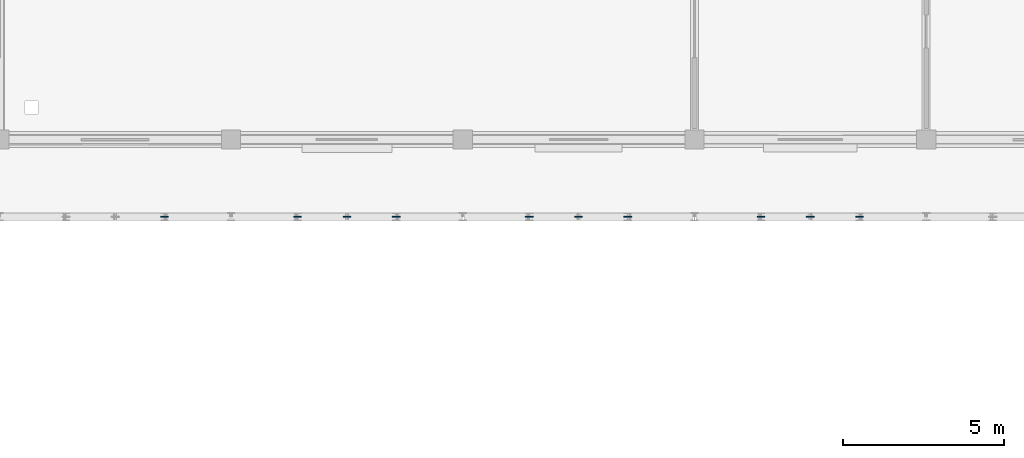
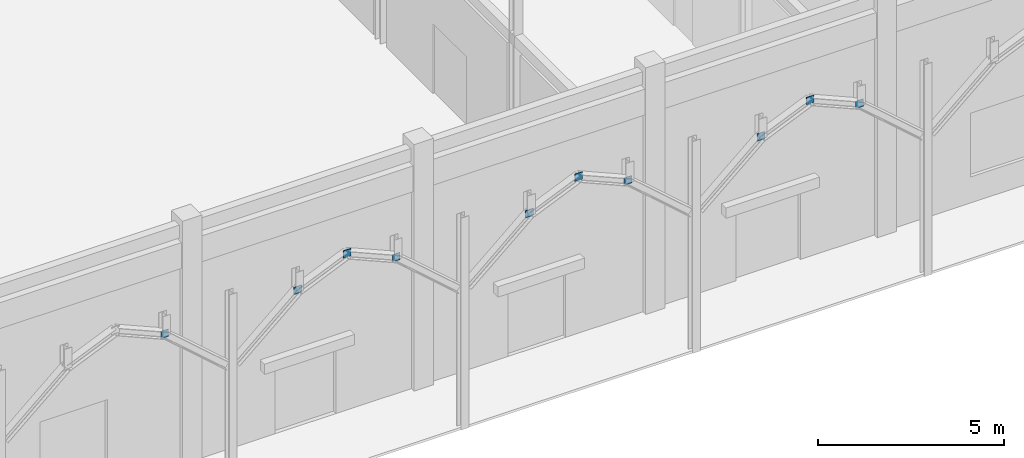
# One storey, part 71 of 138: 10 plates.
"""IFC4 building model written with IfcOpenShell, lengths in metres."""

from ifc_helpers import new_model, si_unit, direction, frame, origin, origin_2d, place, context, subcontext, project, spatial, rectangle, extrude, material, layer, layer_set, type_object, element, save


model = new_model("IFC4")

# Units and contexts
model_context = context("Model", 3, precision=1e-05, world=origin(), true_north=direction((0.0, 1.0)))
body_context = subcontext(model_context, "Body", "Model", "MODEL_VIEW")
ifc_project = project(units=[si_unit("LENGTHUNIT", "METRE"), si_unit("AREAUNIT", "SQUARE_METRE"), si_unit("VOLUMEUNIT", "CUBIC_METRE"), si_unit("PLANEANGLEUNIT", "RADIAN"), si_unit("MASSUNIT", "GRAM", prefix="KILO"), si_unit("THERMODYNAMICTEMPERATUREUNIT", "KELVIN"), si_unit("POWERUNIT", "WATT")], contexts=[model_context])

# Site, building, storey
site_placement = place(None, origin())
site = spatial("IfcSite", under=ifc_project, at=site_placement, CompositionType="ELEMENT")
building_placement = place(site_placement, origin())
building = spatial("IfcBuilding", under=site, at=building_placement, Name="Tavuni Mirador Residences", CompositionType="ELEMENT")
storey_placement = place(building_placement, origin())
storey = spatial("IfcBuildingStorey", under=building, at=storey_placement, Name="L00", CompositionType="ELEMENT", Elevation=0.0)

# Plates
ifc_material = material(Name="Structural steel S355", Category="steel")
ifc_layer = layer(ifc_material, 0.01806640625, Name="Structural steel S355", Category="steel")
ifc_layer_set = layer_set([ifc_layer], Name="Structural steel S355")
plate_type = type_object("IfcPlateType", Name="PLT-GP05", PredefinedType="USERDEFINED", material=ifc_layer_set)
for number, where, z_axis, x_axis, name in (
    (1, (44.731201171875, 69.60009765625, 6.181640625), (0.0, 0.0, 1.0), (1.0, 0.0, 0.0), "ARCH-HALL-S-00-GQ2"),
    (2, (48.868896484375, 69.60009765625, 6.181640625), (0.0, 0.0, 1.0), (1.0, 0.0, 0.0), "ARCH-HALL-S-01-GQ1"),
    (3, (50.39990234375, 69.60009765625, 6.84326171875), (0.0, 0.0, 1.0), (1.0, 0.0, 0.0), "ARCH-HALL-S-01-GCR"),
    (4, (51.93115234375, 69.60009765625, 6.181640625), (0.0, 0.0, 1.0), (1.0, 0.0, 0.0), "ARCH-HALL-S-01-GQ2"),
    (5, (56.06884765625, 69.60009765625, 6.181640625), (0.0, 0.0, 1.0), (1.0, 0.0, 0.0), "ARCH-HALL-S-02-GQ1"),
    (6, (57.60009765625, 69.60009765625, 6.84326171875), (0.0, 0.0, 1.0), (1.0, 0.0, 0.0), "ARCH-HALL-S-02-GCR"),
    (7, (59.131103515625, 69.60009765625, 6.181640625), (0.0, 0.0, 1.0), (1.0, 0.0, 0.0), "ARCH-HALL-S-02-GQ2"),
    (8, (63.268798828125, 69.60009765625, 6.181640625), (0.0, 0.0, 1.0), (1.0, 0.0, 0.0), "ARCH-HALL-S-03-GQ1"),
    (9, (64.800048828125, 69.60009765625, 6.84326171875), (0.0, 0.0, 1.0), (1.0, 0.0, 0.0), "ARCH-HALL-S-03-GCR"),
    (10, (66.331298828125, 69.60009765625, 6.181640625), (0.0, 0.0, 1.0), (1.0, 0.0, 0.0), "ARCH-HALL-S-03-GQ2"),
):
    element("IfcPlate", number, at=place(storey_placement, frame(where, z_axis=z_axis, x_axis=x_axis)), inside=storey, type_object=plate_type, Name=name, ObjectType="GUSSET PLATE", PredefinedType="USERDEFINED", context=body_context, shape_type="SweptSolid", body=[
        extrude(rectangle(XDim=0.239990234375, YDim=0.02001953125, at=origin_2d()), origin(), (0.0, 0.0, 1.0), 0.239990234375),
    ])

save(model, "model.ifc")
